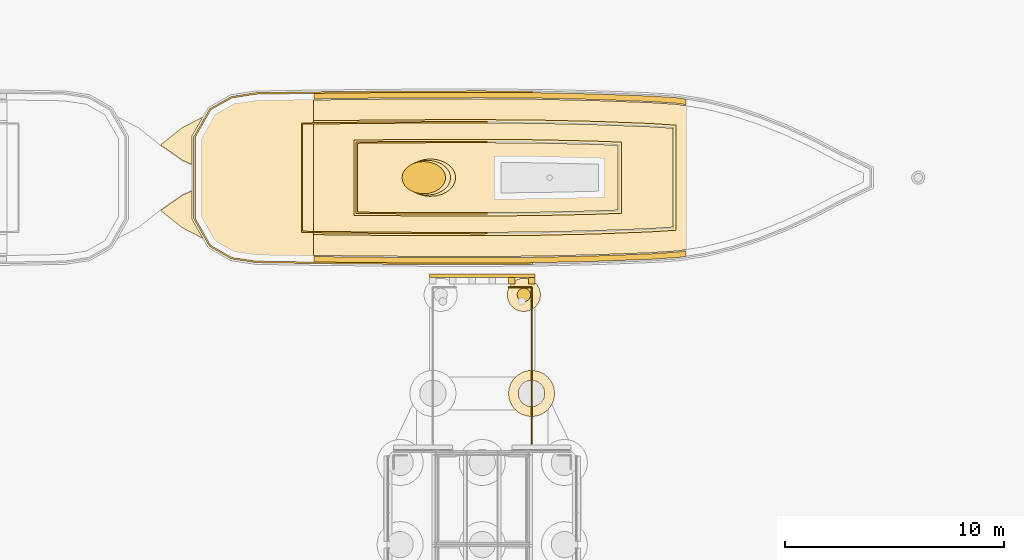
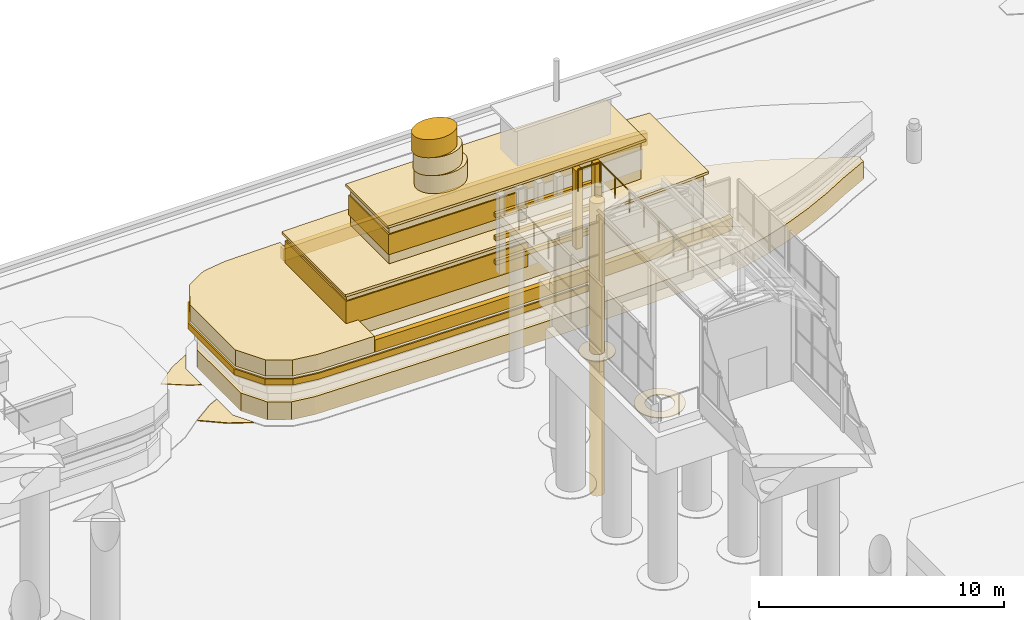
# One storey, part 195 of 222: 24 coverings, 2 railings.
"""IFC4 building model written with IfcOpenShell, lengths in metres."""

from ifc_helpers import new_model, si_unit, direction, frame, origin, origin_2d, place, context, subcontext, project, spatial, polyline, rectangle, circle, outline, extrude, material, layer, layer_set, type_object, element, save


model = new_model("IFC4")

# Units and contexts
model_context = context("Model", 3, precision=1e-05, world=origin(), true_north=direction((0.0, 1.0)))
body_context = subcontext(model_context, "Body", "Model", "MODEL_VIEW")
ifc_project = project(units=[si_unit("LENGTHUNIT", "METRE"), si_unit("AREAUNIT", "SQUARE_METRE"), si_unit("VOLUMEUNIT", "CUBIC_METRE"), si_unit("PLANEANGLEUNIT", "RADIAN"), si_unit("MASSUNIT", "GRAM", prefix="KILO")], contexts=[model_context])

# Site, building, storey
site_placement = place(None, origin())
site = spatial("IfcSite", under=ifc_project, at=site_placement, CompositionType="ELEMENT")
building_placement = place(site_placement, origin())
building = spatial("IfcBuilding", under=site, at=building_placement, Name="Sava Quay Ferry Terminal", CompositionType="ELEMENT")
storey_placement = place(building_placement, origin())
storey = spatial("IfcBuildingStorey", under=building, at=storey_placement, Name="L00", CompositionType="ELEMENT", Elevation=0.0)

# Covering
ifc_material_1 = material(Name="Steel S355", Category="steel")
ifc_layer_1 = layer(ifc_material_1, 0.030029296875)
ifc_layer_set_1 = layer_set([ifc_layer_1], Name="Steel S355")
covering_type_1 = type_object("IfcCoveringType", Name="Berth mooring dolphin 610", PredefinedType="CLADDING", material=ifc_layer_set_1)
covering_1_placement = place(storey_placement, frame((79.60009765625, 150.0, -0.449951171875), z_axis=(0.0, 0.0, -1.0), x_axis=(1.0, 0.0, 0.0)))
element("IfcCovering", 1, at=covering_1_placement, inside=storey, type_object=covering_type_1, Name="Berth mooring dolphin", PredefinedType="CLADDING", context=body_context, shape_type="SweptSolid", body=[
    extrude(circle(Radius=0.304931640625, at=origin_2d()), origin(), (0.0, 0.0, 1.0), 14.550048828125),
])

# Railings
ifc_material_2 = material(Name="Steel S355", Category="steel")
railing_type = type_object("IfcRailingType", Name="Edge guard 1100", PredefinedType="GUARDRAIL", material=ifc_material_2)
railing_1_placement = place(storey_placement, frame((79.949951171875, 143.199951171875, 0.0)))
element("IfcRailing", 2, at=railing_1_placement, inside=storey, type_object=railing_type, Name="Berth guard east side", PredefinedType="GUARDRAIL", context=body_context, shape_type="SweptSolid", body=[
    extrude(circle(Radius=0.02392578125, at=origin_2d()), frame((0.0, 0.0, 1.076171875), z_axis=(0.0, 1.0, 0.0), x_axis=(-1.0, 0.0, 0.0)), (0.0, 0.0, 1.0), 7.150146484375),
    extrude(circle(Radius=0.02099609375, at=origin_2d()), origin(), (0.0, 0.0, 1.0), 1.052001953125),
    extrude(circle(Radius=0.02099609375, at=origin_2d()), frame((0.0, 1.191650390625, 0.0)), (0.0, 0.0, 1.0), 1.052001953125),
    extrude(circle(Radius=0.02099609375, at=origin_2d()), frame((0.0, 2.38330078125, 0.0)), (0.0, 0.0, 1.0), 1.052001953125),
    extrude(circle(Radius=0.02099609375, at=origin_2d()), frame((0.0, 3.5751953125, 0.0)), (0.0, 0.0, 1.0), 1.052001953125),
    extrude(circle(Radius=0.02099609375, at=origin_2d()), frame((0.0, 4.766845703125, 0.0)), (0.0, 0.0, 1.0), 1.052001953125),
    extrude(circle(Radius=0.02099609375, at=origin_2d()), frame((0.0, 5.95849609375, 0.0)), (0.0, 0.0, 1.0), 1.052001953125),
    extrude(circle(Radius=0.02099609375, at=origin_2d()), frame((0.0, 7.150146484375, 0.0)), (0.0, 0.0, 1.0), 1.052001953125),
])
railing_2_placement = place(storey_placement, frame((78.89990234375, 150.35009765625, 0.0)))
element("IfcRailing", 3, at=railing_2_placement, inside=storey, type_object=railing_type, Name="Berth guard outer edge east", PredefinedType="GUARDRAIL", context=body_context, shape_type="SweptSolid", body=[
    extrude(circle(Radius=0.02392578125, at=origin_2d()), frame((0.0, 0.0, 1.076171875), z_axis=(1.0, 0.0, 0.0), x_axis=(0.0, 1.0, 0.0)), (0.0, 0.0, 1.0), 1.050048828125),
    extrude(circle(Radius=0.02099609375, at=origin_2d()), origin(), (0.0, 0.0, 1.0), 1.052001953125),
    extrude(circle(Radius=0.02099609375, at=origin_2d()), frame((1.050048828125, 0.0, 0.0)), (0.0, 0.0, 1.0), 1.052001953125),
])

# Coverings
ifc_material_3 = material(Name="Greenheart timber", Category="wood")
ifc_layer_2 = layer(ifc_material_3, 0.300048828125)
ifc_layer_set_2 = layer_set([ifc_layer_2], Name="Greenheart timber")
covering_type_2 = type_object("IfcCoveringType", Name="Fender post 300", PredefinedType="CLADDING", material=ifc_layer_set_2)
for number, where, z_axis, x_axis, name in (
    (4, (79.050048828125, 150.64990234375, -3.0), (0.0, 0.0, 1.0), (1.0, 0.0, 0.0), "Fender post"),
    (5, (79.949951171875, 150.64990234375, -3.0), (0.0, 0.0, 1.0), (1.0, 0.0, 0.0), "Fender post"),
):
    element("IfcCovering", number, at=place(storey_placement, frame(where, z_axis=z_axis, x_axis=x_axis)), inside=storey, type_object=covering_type_2, Name=name, PredefinedType="CLADDING", context=body_context, shape_type="SweptSolid", body=[
        extrude(rectangle(XDim=0.300048828125, YDim=0.300048828125, at=origin_2d()), origin(), (0.0, 0.0, 1.0), 3.89990234375),
    ])
ifc_material_4 = material(Name="Greenheart timber", Category="wood")
ifc_layer_3 = layer(ifc_material_4, 0.14990234375)
ifc_layer_set_3 = layer_set([ifc_layer_3], Name="Greenheart timber")
covering_type_3 = type_object("IfcCoveringType", Name="Fender rubbing strip 200", PredefinedType="CLADDING", material=ifc_layer_set_3)
for number, where, z_axis, x_axis, name in (
    (6, (77.699951171875, 150.875, -0.35009765625), (0.0, 0.0, 1.0), (1.0, 0.0, 0.0), "Fender rubbing strip"),
    (7, (77.699951171875, 150.875, -1.5), (0.0, 0.0, 1.0), (1.0, 0.0, 0.0), "Fender rubbing strip"),
    (8, (77.699951171875, 150.875, -2.7001953125), (0.0, 0.0, 1.0), (1.0, 0.0, 0.0), "Fender rubbing strip"),
):
    element("IfcCovering", number, at=place(storey_placement, frame(where, z_axis=z_axis, x_axis=x_axis)), inside=storey, type_object=covering_type_3, Name=name, PredefinedType="CLADDING", context=body_context, shape_type="SweptSolid", body=[
        extrude(rectangle(XDim=4.800048828125, YDim=0.14990234375, at=origin_2d()), origin(), (0.0, 0.0, 1.0), 0.199951171875),
    ])
ifc_material_5 = material(Name="Water")
ifc_layer_4 = layer(ifc_material_5, 0.0400390625)
ifc_layer_set_4 = layer_set([ifc_layer_4], Name="Water")
covering_type_4 = type_object("IfcCoveringType", Name="River foam collar", PredefinedType="CLADDING", material=ifc_layer_set_4)
covering_2_placement = place(storey_placement, frame((0.0, 0.0, -8.0)))
element("IfcCovering", 9, at=covering_2_placement, inside=storey, type_object=covering_type_4, Name="River foam collar", PredefinedType="CLADDING", context=body_context, shape_type="SweptSolid", body=[
    extrude(outline(polyline([(79.7451171875, 146.531982421875), (79.547119140625, 146.471923828125), (79.364990234375, 146.375), (79.2060546875, 146.243896484375), (79.074951171875, 146.0849609375), (78.97802734375, 145.903076171875), (78.91796875, 145.705078125), (78.89794921875, 145.5), (78.91796875, 145.294921875), (78.97802734375, 145.096923828125), (79.074951171875, 144.9150390625), (79.2060546875, 144.756103515625), (79.364990234375, 144.625), (79.547119140625, 144.528076171875), (79.7451171875, 144.468017578125), (79.949951171875, 144.447998046875), (80.155029296875, 144.468017578125), (80.35302734375, 144.528076171875), (80.534912109375, 144.625), (80.694091796875, 144.756103515625), (80.824951171875, 144.9150390625), (80.922119140625, 145.096923828125), (80.98193359375, 145.294921875), (81.001953125, 145.5), (80.98193359375, 145.705078125), (80.922119140625, 145.903076171875), (80.824951171875, 146.0849609375), (80.694091796875, 146.243896484375), (80.534912109375, 146.375), (80.35302734375, 146.471923828125), (80.155029296875, 146.531982421875), (79.949951171875, 146.552001953125), (79.7451171875, 146.531982421875)]), holes=[polyline([(79.8330078125, 144.912109375), (79.719970703125, 144.946044921875), (79.616943359375, 145.0009765625), (79.52587890625, 145.075927734375), (79.450927734375, 145.1669921875), (79.39599609375, 145.27001953125), (79.362060546875, 145.383056640625), (79.35009765625, 145.5), (79.362060546875, 145.616943359375), (79.39599609375, 145.72998046875), (79.450927734375, 145.8330078125), (79.52587890625, 145.924072265625), (79.616943359375, 145.9990234375), (79.719970703125, 146.053955078125), (79.8330078125, 146.087890625), (79.949951171875, 146.10009765625), (80.06689453125, 146.087890625), (80.179931640625, 146.053955078125), (80.282958984375, 145.9990234375), (80.3740234375, 145.924072265625), (80.448974609375, 145.8330078125), (80.50390625, 145.72998046875), (80.5380859375, 145.616943359375), (80.550048828125, 145.5), (80.5380859375, 145.383056640625), (80.50390625, 145.27001953125), (80.448974609375, 145.1669921875), (80.3740234375, 145.075927734375), (80.282958984375, 145.0009765625), (80.179931640625, 144.946044921875), (80.06689453125, 144.912109375), (79.949951171875, 144.89990234375), (79.8330078125, 144.912109375)])]), origin(), (0.0, 0.0, 1.0), 0.0400390625),
])
covering_3_placement = place(storey_placement, frame((0.0, 0.0, -8.0)))
element("IfcCovering", 10, at=covering_3_placement, inside=storey, type_object=covering_type_4, Name="River foam collar", PredefinedType="CLADDING", context=body_context, shape_type="SweptSolid", body=[
    extrude(outline(polyline([(80.02099609375, 150.6298828125), (79.889892578125, 150.699951171875), (79.748046875, 150.742919921875), (79.60009765625, 150.757080078125), (79.451904296875, 150.742919921875), (79.31005859375, 150.699951171875), (79.178955078125, 150.6298828125), (79.06494140625, 150.534912109375), (78.969970703125, 150.4208984375), (78.89990234375, 150.2900390625), (78.85693359375, 150.14794921875), (78.843017578125, 150.0), (78.85693359375, 149.85205078125), (78.89990234375, 149.7099609375), (78.969970703125, 149.5791015625), (79.06494140625, 149.465087890625), (79.178955078125, 149.3701171875), (79.31005859375, 149.300048828125), (79.451904296875, 149.257080078125), (79.60009765625, 149.242919921875), (79.748046875, 149.257080078125), (79.889892578125, 149.300048828125), (80.02099609375, 149.3701171875), (80.135009765625, 149.465087890625), (80.22998046875, 149.5791015625), (80.300048828125, 149.7099609375), (80.343017578125, 149.85205078125), (80.35693359375, 150.0), (80.343017578125, 150.14794921875), (80.300048828125, 150.2900390625), (80.22998046875, 150.4208984375), (80.135009765625, 150.534912109375), (80.02099609375, 150.6298828125)]), holes=[polyline([(79.76904296875, 149.74609375), (79.717041015625, 149.718017578125), (79.659912109375, 149.700927734375), (79.60009765625, 149.695068359375), (79.5400390625, 149.700927734375), (79.48291015625, 149.718017578125), (79.430908203125, 149.74609375), (79.384033203125, 149.783935546875), (79.345947265625, 149.8310546875), (79.318115234375, 149.883056640625), (79.301025390625, 149.93994140625), (79.294921875, 150.0), (79.301025390625, 150.06005859375), (79.318115234375, 150.116943359375), (79.345947265625, 150.1689453125), (79.384033203125, 150.216064453125), (79.430908203125, 150.25390625), (79.48291015625, 150.281982421875), (79.5400390625, 150.299072265625), (79.60009765625, 150.304931640625), (79.659912109375, 150.299072265625), (79.717041015625, 150.281982421875), (79.76904296875, 150.25390625), (79.81591796875, 150.216064453125), (79.85400390625, 150.1689453125), (79.882080078125, 150.116943359375), (79.89892578125, 150.06005859375), (79.905029296875, 150.0), (79.89892578125, 149.93994140625), (79.882080078125, 149.883056640625), (79.85400390625, 149.8310546875), (79.81591796875, 149.783935546875), (79.76904296875, 149.74609375)])]), origin(), (0.0, 0.0, 1.0), 0.0400390625),
])
ifc_material_6 = material(Name="Water")
ifc_layer_5 = layer(ifc_material_6, 0.0400390625)
ifc_layer_set_5 = layer_set([ifc_layer_5], Name="Water")
covering_type_5 = type_object("IfcCoveringType", Name="River wake foam", PredefinedType="CLADDING", material=ifc_layer_set_5)
covering_4_placement = place(storey_placement, frame((0.0, 0.0, -8.0)))
element("IfcCovering", 11, at=covering_4_placement, inside=storey, type_object=covering_type_5, Name="River wake foam", PredefinedType="CLADDING", context=body_context, shape_type="SweptSolid", body=[
    extrude(outline(polyline([(64.0, 157.631103515625), (63.01611328125, 156.845947265625), (64.010009765625, 156.152099609375), (64.449951171875, 155.950927734375), (64.449951171875, 157.24609375), (64.951904296875, 158.125), (64.0, 157.631103515625)])), origin(), (0.0, 0.0, 1.0), 0.0400390625),
])
covering_5_placement = place(storey_placement, frame((0.0, 0.0, -8.0)))
element("IfcCovering", 12, at=covering_5_placement, inside=storey, type_object=covering_type_5, Name="River wake foam", PredefinedType="CLADDING", context=body_context, shape_type="SweptSolid", body=[
    extrude(outline(polyline([(64.449951171875, 153.4541015625), (64.449951171875, 154.7490234375), (64.010009765625, 154.548095703125), (63.01611328125, 153.85400390625), (64.0, 153.069091796875), (64.951904296875, 152.574951171875), (64.449951171875, 153.4541015625)])), origin(), (0.0, 0.0, 1.0), 0.0400390625),
])
ifc_material_7 = material(Name="Steel S355", Category="steel")
ifc_layer_6 = layer(ifc_material_7, 0.60009765625)
ifc_layer_set_6 = layer_set([ifc_layer_6], Name="Steel S355")
covering_type_6 = type_object("IfcCoveringType", Name="Vessel bulwark 600", PredefinedType="CLADDING", material=ifc_layer_set_6)
covering_6_placement = place(storey_placement, frame((0.0, 0.0, -5.60009765625)))
element("IfcCovering", 13, at=covering_6_placement, inside=storey, type_object=covering_type_6, Name="Vessel bulwark", PredefinedType="CLADDING", context=body_context, shape_type="SweptSolid", body=[
    extrude(outline(polyline([(75.113037109375, 159.2451171875), (72.5390625, 159.22705078125), (70.010009765625, 159.198974609375), (70.010009765625, 158.948974609375), (72.5419921875, 158.97705078125), (75.114013671875, 158.9951171875), (77.68603515625, 159.0), (80.259033203125, 158.97998046875), (82.8330078125, 158.9208984375), (85.407958984375, 158.824951171875), (86.616943359375, 158.7451171875), (86.989990234375, 158.68505859375), (86.989990234375, 158.93798828125), (86.64501953125, 158.993896484375), (85.4208984375, 159.074951171875), (82.841064453125, 159.1708984375), (80.262939453125, 159.22998046875), (77.68701171875, 159.25), (75.113037109375, 159.2451171875)])), origin(), (0.0, 0.0, 1.0), 0.60009765625),
])
covering_7_placement = place(storey_placement, frame((0.0, 0.0, -5.60009765625)))
element("IfcCovering", 14, at=covering_7_placement, inside=storey, type_object=covering_type_6, Name="Vessel bulwark", PredefinedType="CLADDING", context=body_context, shape_type="SweptSolid", body=[
    extrude(outline(polyline([(86.64501953125, 151.7060546875), (86.989990234375, 151.761962890625), (86.989990234375, 152.014892578125), (86.616943359375, 151.955078125), (85.407958984375, 151.875), (82.8330078125, 151.779052734375), (80.259033203125, 151.719970703125), (77.68603515625, 151.699951171875), (75.114013671875, 151.705078125), (72.5419921875, 151.722900390625), (70.010009765625, 151.7509765625), (70.010009765625, 151.5009765625), (72.5390625, 151.472900390625), (75.113037109375, 151.455078125), (77.68701171875, 151.449951171875), (80.262939453125, 151.469970703125), (82.841064453125, 151.529052734375), (85.4208984375, 151.625), (86.64501953125, 151.7060546875)])), origin(), (0.0, 0.0, 1.0), 0.60009765625),
])
ifc_material_8 = material(Name="Steel S355", Category="steel")
ifc_layer_7 = layer(ifc_material_8, 0.1201171875)
ifc_layer_set_7 = layer_set([ifc_layer_7], Name="Steel S355")
covering_type_7 = type_object("IfcCoveringType", Name="Vessel deck plate 120", PredefinedType="FLOORING", material=ifc_layer_set_7)
covering_8_placement = place(storey_placement, frame((0.0, 0.0, -3.39990234375)))
element("IfcCovering", 15, at=covering_8_placement, inside=storey, type_object=covering_type_7, Name="Vessel main deck roof", PredefinedType="FLOORING", context=body_context, shape_type="SweptSolid", body=[
    extrude(outline(polyline([(69.98291015625, 157.948974609375), (69.35009765625, 157.93896484375), (69.35009765625, 152.760986328125), (69.98291015625, 152.7509765625), (72.550048828125, 152.722900390625), (75.117919921875, 152.705078125), (77.68310546875, 152.699951171875), (80.243896484375, 152.719970703125), (82.802978515625, 152.778076171875), (85.35595703125, 152.8740234375), (86.550048828125, 152.951904296875), (86.550048828125, 157.748046875), (85.35595703125, 157.825927734375), (82.802978515625, 157.922119140625), (80.243896484375, 157.97998046875), (77.68310546875, 158.0), (75.117919921875, 157.9951171875), (72.550048828125, 157.97705078125), (69.98291015625, 157.948974609375)])), origin(), (0.0, 0.0, 1.0), 0.119873046875),
])
covering_9_placement = place(storey_placement, frame((0.0, 0.0, -1.3798828125)))
element("IfcCovering", 16, at=covering_9_placement, inside=storey, type_object=covering_type_7, Name="Vessel upper deck", PredefinedType="FLOORING", context=body_context, shape_type="SweptSolid", body=[
    extrude(outline(polyline([(72.55810546875, 157.077880859375), (71.85009765625, 157.070068359375), (71.85009765625, 153.6298828125), (72.55810546875, 153.6220703125), (75.1220703125, 153.60498046875), (77.680908203125, 153.60009765625), (80.22998046875, 153.6201171875), (82.77587890625, 153.677978515625), (84.050048828125, 153.72607421875), (84.050048828125, 156.97412109375), (82.77587890625, 157.02197265625), (80.22998046875, 157.080078125), (77.680908203125, 157.10009765625), (75.1220703125, 157.094970703125), (72.55810546875, 157.077880859375)])), origin(), (0.0, 0.0, 1.0), 0.119873046875),
])
ifc_material_9 = material(Name="Steel S355", Category="steel")
ifc_layer_8 = layer(ifc_material_9, 0.89990234375)
ifc_layer_set_8 = layer_set([ifc_layer_8], Name="Steel S355")
covering_type_8 = type_object("IfcCoveringType", Name="Vessel forecastle 900", PredefinedType="CLADDING", material=ifc_layer_set_8)
covering_10_placement = place(storey_placement, frame((0.0, 0.0, -5.60009765625)))
element("IfcCovering", 17, at=covering_10_placement, inside=storey, type_object=covering_type_8, Name="Vessel poop deck", PredefinedType="CLADDING", context=body_context, shape_type="SweptSolid", body=[
    extrude(outline(polyline([(65.306884765625, 158.444091796875), (64.60009765625, 157.2060546875), (64.60009765625, 153.493896484375), (65.306884765625, 152.256103515625), (66.26611328125, 151.7109375), (67.365966796875, 151.5419921875), (70.0, 151.5009765625), (70.0, 159.198974609375), (67.365966796875, 159.157958984375), (66.26611328125, 158.989013671875), (65.306884765625, 158.444091796875)])), origin(), (0.0, 0.0, 1.0), 0.800048828125),
])
ifc_material_10 = material(Name="Steel S355", Category="steel")
ifc_layer_9 = layer(ifc_material_10, 1.0)
ifc_layer_set_9 = layer_set([ifc_layer_9], Name="Steel S355")
covering_type_9 = type_object("IfcCoveringType", Name="Vessel funnel", PredefinedType="CLADDING", material=ifc_layer_set_9)
covering_11_placement = place(storey_placement, frame((0.0, 0.0, -1.260009765625)))
element("IfcCovering", 18, at=covering_11_placement, inside=storey, type_object=covering_type_9, Name="Vessel funnel", PredefinedType="CLADDING", context=body_context, shape_type="SweptSolid", body=[
    extrude(outline(polyline([(76.48193359375, 155.35009765625), (76.471923828125, 155.4609375), (76.443115234375, 155.570068359375), (76.39404296875, 155.675048828125), (76.327880859375, 155.77490234375), (76.243896484375, 155.866943359375), (76.14501953125, 155.950927734375), (76.031982421875, 156.02392578125), (75.906982421875, 156.0859375), (75.77197265625, 156.135009765625), (75.6298828125, 156.1708984375), (75.48193359375, 156.193115234375), (75.33203125, 156.199951171875), (75.181884765625, 156.193115234375), (75.033935546875, 156.1708984375), (74.89208984375, 156.135009765625), (74.757080078125, 156.0859375), (74.632080078125, 156.02392578125), (74.51904296875, 155.950927734375), (74.419921875, 155.866943359375), (74.3359375, 155.77490234375), (74.27001953125, 155.675048828125), (74.220947265625, 155.570068359375), (74.19189453125, 155.4609375), (74.181884765625, 155.35009765625), (74.19189453125, 155.239013671875), (74.220947265625, 155.1298828125), (74.27001953125, 155.02490234375), (74.3359375, 154.925048828125), (74.419921875, 154.8330078125), (74.51904296875, 154.7490234375), (74.632080078125, 154.676025390625), (74.757080078125, 154.614013671875), (74.89208984375, 154.56494140625), (75.033935546875, 154.529052734375), (75.181884765625, 154.507080078125), (75.33203125, 154.5), (75.48193359375, 154.507080078125), (75.6298828125, 154.529052734375), (75.77197265625, 154.56494140625), (75.906982421875, 154.614013671875), (76.031982421875, 154.676025390625), (76.14501953125, 154.7490234375), (76.243896484375, 154.8330078125), (76.327880859375, 154.925048828125), (76.39404296875, 155.02490234375), (76.443115234375, 155.1298828125), (76.471923828125, 155.239013671875), (76.48193359375, 155.35009765625)])), origin(), (0.0, 0.0, 1.0), 0.89990234375),
])
covering_12_placement = place(storey_placement, frame((0.0, 0.0, -0.360107421875)))
element("IfcCovering", 19, at=covering_12_placement, inside=storey, type_object=covering_type_9, Name="Vessel funnel", PredefinedType="CLADDING", context=body_context, shape_type="SweptSolid", body=[
    extrude(outline(polyline([(76.251953125, 155.35009765625), (76.241943359375, 155.452880859375), (76.215087890625, 155.554931640625), (76.169921875, 155.653076171875), (76.10791015625, 155.7451171875), (76.030029296875, 155.8310546875), (75.93798828125, 155.908935546875), (75.8330078125, 155.97705078125), (75.717041015625, 156.034912109375), (75.591064453125, 156.080078125), (75.458984375, 156.114013671875), (75.322021484375, 156.134033203125), (75.181884765625, 156.14111328125), (75.0419921875, 156.134033203125), (74.905029296875, 156.114013671875), (74.77294921875, 156.080078125), (74.64697265625, 156.034912109375), (74.531005859375, 155.97705078125), (74.426025390625, 155.908935546875), (74.333984375, 155.8310546875), (74.256103515625, 155.7451171875), (74.194091796875, 155.653076171875), (74.14892578125, 155.554931640625), (74.1220703125, 155.452880859375), (74.112060546875, 155.35009765625), (74.1220703125, 155.2470703125), (74.14892578125, 155.14501953125), (74.194091796875, 155.047119140625), (74.256103515625, 154.955078125), (74.333984375, 154.868896484375), (74.426025390625, 154.791015625), (74.531005859375, 154.722900390625), (74.64697265625, 154.6650390625), (74.77294921875, 154.6201171875), (74.905029296875, 154.5859375), (75.0419921875, 154.56591796875), (75.181884765625, 154.55908203125), (75.322021484375, 154.56591796875), (75.458984375, 154.5859375), (75.591064453125, 154.6201171875), (75.717041015625, 154.6650390625), (75.8330078125, 154.722900390625), (75.93798828125, 154.791015625), (76.030029296875, 154.868896484375), (76.10791015625, 154.955078125), (76.169921875, 155.047119140625), (76.215087890625, 155.14501953125), (76.241943359375, 155.2470703125), (76.251953125, 155.35009765625)])), origin(), (0.0, 0.0, 1.0), 0.900146484375),
])
covering_13_placement = place(storey_placement, frame((0.0, 0.0, 0.5400390625)))
element("IfcCovering", 20, at=covering_13_placement, inside=storey, type_object=covering_type_9, Name="Vessel funnel", PredefinedType="CLADDING", context=body_context, shape_type="SweptSolid", body=[
    extrude(outline(polyline([(76.02099609375, 155.35009765625), (76.012939453125, 155.445068359375), (75.987060546875, 155.5390625), (75.946044921875, 155.6298828125), (75.887939453125, 155.715087890625), (75.81689453125, 155.794921875), (75.73095703125, 155.866943359375), (75.634033203125, 155.929931640625), (75.52587890625, 155.98291015625), (75.409912109375, 156.02490234375), (75.2880859375, 156.055908203125), (75.160888671875, 156.074951171875), (75.031982421875, 156.0810546875), (74.903076171875, 156.074951171875), (74.77587890625, 156.055908203125), (74.654052734375, 156.02490234375), (74.537109375, 155.98291015625), (74.429931640625, 155.929931640625), (74.3330078125, 155.866943359375), (74.2470703125, 155.794921875), (74.176025390625, 155.715087890625), (74.117919921875, 155.6298828125), (74.076904296875, 155.5390625), (74.051025390625, 155.445068359375), (74.04296875, 155.35009765625), (74.051025390625, 155.2548828125), (74.076904296875, 155.160888671875), (74.117919921875, 155.070068359375), (74.176025390625, 154.98388671875), (74.2470703125, 154.905029296875), (74.3330078125, 154.8330078125), (74.429931640625, 154.77001953125), (74.537109375, 154.717041015625), (74.654052734375, 154.675048828125), (74.77587890625, 154.64404296875), (74.903076171875, 154.625), (75.031982421875, 154.618896484375), (75.160888671875, 154.625), (75.2880859375, 154.64404296875), (75.409912109375, 154.675048828125), (75.52587890625, 154.717041015625), (75.634033203125, 154.77001953125), (75.73095703125, 154.8330078125), (75.81689453125, 154.905029296875), (75.887939453125, 154.98388671875), (75.946044921875, 155.070068359375), (75.987060546875, 155.160888671875), (76.012939453125, 155.2548828125), (76.02099609375, 155.35009765625)])), origin(), (0.0, 0.0, 1.0), 0.89990234375),
])
ifc_material_11 = material(Name="Aluminium cladding", Category="aluminium")
ifc_layer_10 = layer(ifc_material_11, 2.39990234375)
ifc_layer_set_10 = layer_set([ifc_layer_10], Name="Aluminium cladding")
covering_type_10 = type_object("IfcCoveringType", Name="Vessel main deckhouse", PredefinedType="CLADDING", material=ifc_layer_set_10)
covering_14_placement = place(storey_placement, frame((0.0, 0.0, -5.60009765625)))
element("IfcCovering", 21, at=covering_14_placement, inside=storey, type_object=covering_type_10, Name="Vessel main deckhouse", PredefinedType="CLADDING", context=body_context, shape_type="SweptSolid", body=[
    extrude(outline(polyline([(69.985107421875, 157.799072265625), (69.5, 157.791015625), (69.5, 152.908935546875), (69.985107421875, 152.90087890625), (72.552001953125, 152.873046875), (75.118896484375, 152.85498046875), (77.68310546875, 152.85009765625), (80.241943359375, 152.8701171875), (82.799072265625, 152.927978515625), (85.34912109375, 153.02392578125), (86.39990234375, 153.093017578125), (86.39990234375, 157.60693359375), (85.34912109375, 157.676025390625), (82.799072265625, 157.77197265625), (80.241943359375, 157.830078125), (77.68310546875, 157.85009765625), (75.118896484375, 157.844970703125), (72.552001953125, 157.826904296875), (69.985107421875, 157.799072265625)])), origin(), (0.0, 0.0, 1.0), 2.2001953125),
])
ifc_material_12 = material(Name="Steel S355", Category="steel")
ifc_layer_11 = layer(ifc_material_12, 0.300048828125)
ifc_layer_set_11 = layer_set([ifc_layer_11], Name="Steel S355")
covering_type_11 = type_object("IfcCoveringType", Name="Vessel rubbing strake 300", PredefinedType="CLADDING", material=ifc_layer_set_11)
covering_15_placement = place(storey_placement, frame((0.0, 0.0, -6.0)))
element("IfcCovering", 22, at=covering_15_placement, inside=storey, type_object=covering_type_11, Name="Vessel rubbing strake", PredefinedType="CLADDING", context=body_context, shape_type="SweptSolid", body=[
    extrude(outline(polyline([(66.242919921875, 159.055908203125), (65.256103515625, 158.4951171875), (64.530029296875, 157.22509765625), (64.530029296875, 153.47509765625), (65.256103515625, 152.205078125), (66.242919921875, 151.64404296875), (67.361083984375, 151.471923828125), (69.965087890625, 151.430908203125), (72.5390625, 151.403076171875), (75.112060546875, 151.385009765625), (77.68701171875, 151.3798828125), (80.0, 151.39794921875), (80.0, 151.468017578125), (77.68701171875, 151.449951171875), (75.113037109375, 151.455078125), (72.5390625, 151.472900390625), (69.966064453125, 151.5009765625), (67.365966796875, 151.5419921875), (66.26611328125, 151.7109375), (65.306884765625, 152.256103515625), (64.60009765625, 153.493896484375), (64.60009765625, 157.2060546875), (65.306884765625, 158.444091796875), (66.26611328125, 158.989013671875), (67.365966796875, 159.157958984375), (69.966064453125, 159.198974609375), (72.5390625, 159.22705078125), (75.113037109375, 159.2451171875), (77.68701171875, 159.25), (80.0, 159.23193359375), (80.0, 159.302001953125), (77.68701171875, 159.320068359375), (75.112060546875, 159.31494140625), (72.5390625, 159.297119140625), (69.965087890625, 159.26904296875), (67.361083984375, 159.22802734375), (66.242919921875, 159.055908203125)])), origin(), (0.0, 0.0, 1.0), 0.300048828125),
])
ifc_material_13 = material(Name="Aluminium cladding", Category="aluminium")
ifc_layer_12 = layer(ifc_material_13, 2.39990234375)
ifc_layer_set_12 = layer_set([ifc_layer_12], Name="Aluminium cladding")
covering_type_12 = type_object("IfcCoveringType", Name="Vessel upper deckhouse", PredefinedType="CLADDING", material=ifc_layer_set_12)
covering_16_placement = place(storey_placement, frame((0.0, 0.0, -3.280029296875)))
element("IfcCovering", 23, at=covering_16_placement, inside=storey, type_object=covering_type_12, Name="Vessel upper deckhouse", PredefinedType="CLADDING", context=body_context, shape_type="SweptSolid", body=[
    extrude(outline(polyline([(72.56005859375, 156.927978515625), (72.0, 156.9208984375), (72.0, 153.779052734375), (72.56005859375, 153.77197265625), (75.123046875, 153.7548828125), (77.679931640625, 153.75), (80.22802734375, 153.77001953125), (82.77099609375, 153.827880859375), (83.89990234375, 153.8701171875), (83.89990234375, 156.830078125), (82.77099609375, 156.8720703125), (80.22802734375, 156.929931640625), (77.679931640625, 156.949951171875), (75.123046875, 156.945068359375), (72.56005859375, 156.927978515625)])), origin(), (0.0, 0.0, 1.0), 1.900146484375),
])
ifc_material_14 = material(Name="Steel S355", Category="steel")
ifc_layer_13 = layer(ifc_material_14, 0.89990234375)
ifc_layer_set_13 = layer_set([ifc_layer_13], Name="Steel S355")
covering_type_13 = type_object("IfcCoveringType", Name="Vessel waterline band 800", PredefinedType="CLADDING", material=ifc_layer_set_13)
covering_17_placement = place(storey_placement, frame((0.0, 0.0, -8.0)))
element("IfcCovering", 24, at=covering_17_placement, inside=storey, type_object=covering_type_13, Name="Vessel waterline band", PredefinedType="CLADDING", context=body_context, shape_type="SweptSolid", body=[
    extrude(outline(polyline([(64.89990234375, 157.126953125), (64.89990234375, 153.572998046875), (65.527099609375, 152.47705078125), (66.366943359375, 151.9990234375), (67.39208984375, 151.842041015625), (69.969970703125, 151.801025390625), (72.5419921875, 151.77294921875), (75.114013671875, 151.7548828125), (77.68603515625, 151.75), (80.259033203125, 151.77001953125), (82.83203125, 151.8291015625), (85.405029296875, 151.925048828125), (86.611083984375, 152.00390625), (87.820068359375, 152.200927734375), (89.027099609375, 152.498046875), (90.23388671875, 152.885986328125), (91.43896484375, 153.360107421875), (92.64404296875, 153.916015625), (93.844970703125, 154.550048828125), (95.10009765625, 155.14697265625), (95.10009765625, 155.552978515625), (93.844970703125, 156.14990234375), (92.64404296875, 156.783935546875), (91.43896484375, 157.340087890625), (90.23388671875, 157.81396484375), (89.027099609375, 158.201904296875), (87.820068359375, 158.4990234375), (86.611083984375, 158.696044921875), (85.405029296875, 158.77490234375), (82.83203125, 158.87109375), (80.259033203125, 158.929931640625), (77.68603515625, 158.949951171875), (75.114013671875, 158.945068359375), (72.5419921875, 158.927001953125), (69.969970703125, 158.89892578125), (67.39208984375, 158.85791015625), (66.366943359375, 158.700927734375), (65.527099609375, 158.222900390625), (64.89990234375, 157.126953125)])), origin(), (0.0, 0.0, 1.0), 0.89990234375),
])
ifc_material_15 = material(Name="Glass", Category="glass")
ifc_layer_14 = layer(ifc_material_15, 0.06005859375)
ifc_layer_set_14 = layer_set([ifc_layer_14], Name="Glass")
covering_type_14 = type_object("IfcCoveringType", Name="Vessel window band 60", PredefinedType="CLADDING", material=ifc_layer_set_14)
covering_18_placement = place(storey_placement, frame((0.0, 0.0, -4.89990234375)))
element("IfcCovering", 25, at=covering_18_placement, inside=storey, type_object=covering_type_14, Name="Vessel window band", PredefinedType="CLADDING", context=body_context, shape_type="SweptSolid", body=[
    extrude(outline(polyline([(75.117919921875, 157.905029296875), (72.551025390625, 157.886962890625), (69.98388671875, 157.85888671875), (69.43994140625, 157.85009765625), (69.43994140625, 152.85009765625), (69.98388671875, 152.841064453125), (72.551025390625, 152.81298828125), (75.117919921875, 152.794921875), (77.68310546875, 152.7900390625), (77.949951171875, 152.7919921875), (77.949951171875, 152.85205078125), (77.68310546875, 152.85009765625), (75.118896484375, 152.85498046875), (72.552001953125, 152.873046875), (69.985107421875, 152.90087890625), (69.5, 152.908935546875), (69.5, 157.791015625), (69.985107421875, 157.799072265625), (72.552001953125, 157.826904296875), (75.118896484375, 157.844970703125), (77.68310546875, 157.85009765625), (77.949951171875, 157.847900390625), (77.949951171875, 157.907958984375), (77.68310546875, 157.909912109375), (75.117919921875, 157.905029296875)])), origin(), (0.0, 0.0, 1.0), 1.199951171875),
])
covering_19_placement = place(storey_placement, frame((0.0, 0.0, -2.780029296875)))
element("IfcCovering", 26, at=covering_19_placement, inside=storey, type_object=covering_type_14, Name="Vessel window band", PredefinedType="CLADDING", context=body_context, shape_type="SweptSolid", body=[
    extrude(outline(polyline([(77.679931640625, 157.010009765625), (75.1220703125, 157.0048828125), (72.55908203125, 156.988037109375), (71.93994140625, 156.98095703125), (71.93994140625, 153.718994140625), (72.55908203125, 153.7119140625), (75.1220703125, 153.695068359375), (77.679931640625, 153.68994140625), (77.949951171875, 153.69189453125), (77.949951171875, 153.751953125), (77.679931640625, 153.75), (75.123046875, 153.7548828125), (72.56005859375, 153.77197265625), (72.0, 153.779052734375), (72.0, 156.9208984375), (72.56005859375, 156.927978515625), (75.123046875, 156.945068359375), (77.679931640625, 156.949951171875), (77.949951171875, 156.947998046875), (77.949951171875, 157.008056640625), (77.679931640625, 157.010009765625)])), origin(), (0.0, 0.0, 1.0), 1.0),
])

save(model, "model.ifc")
